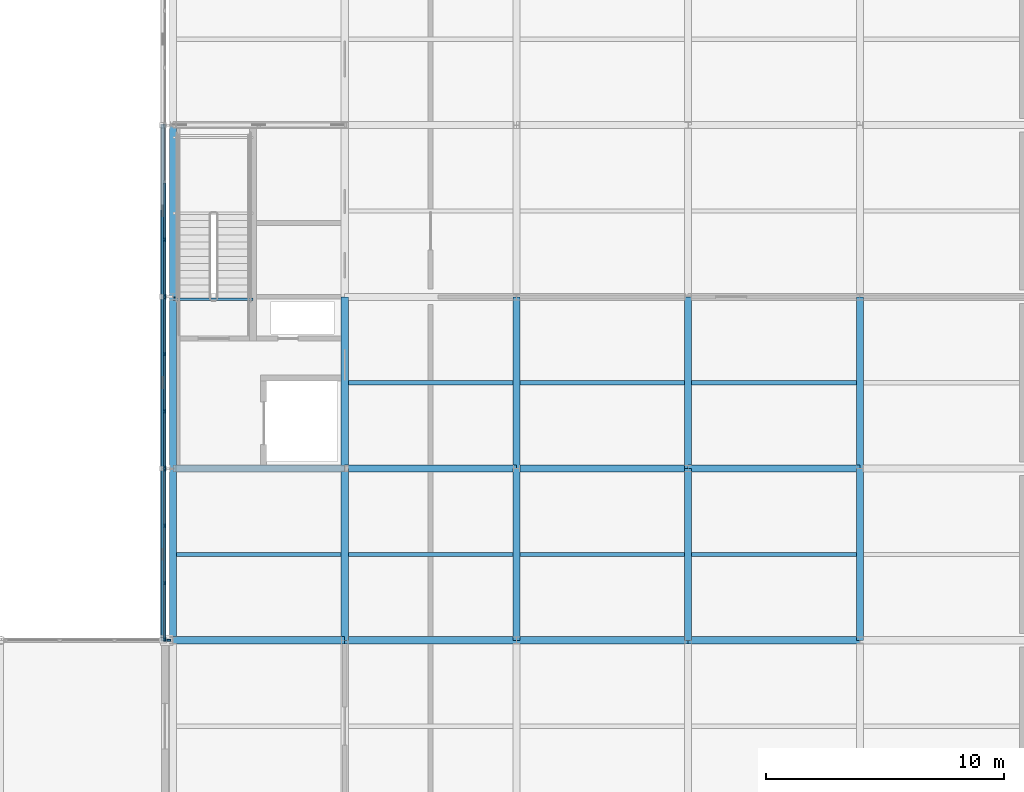
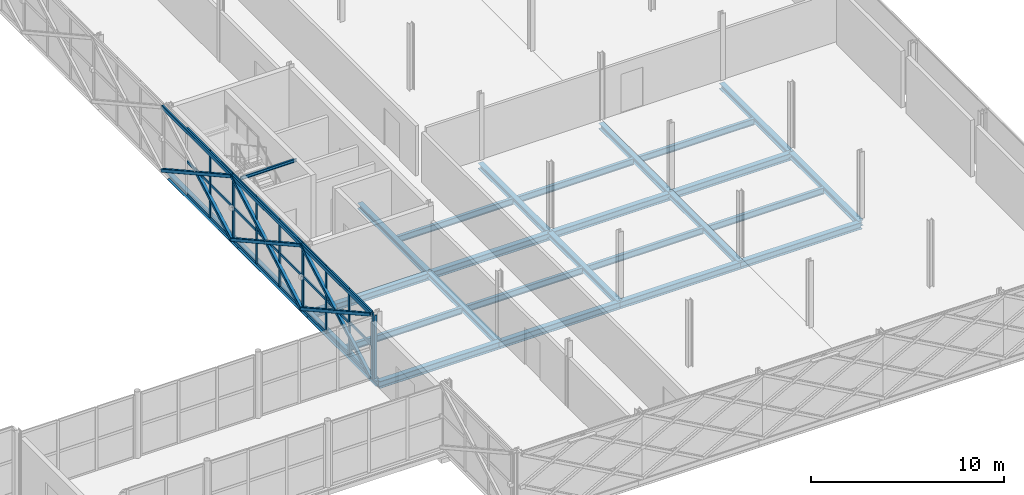
# One storey, part 70 of 146: 46 members, 27 beams, 4 elements without a shape of their own.
"""IFC4 building model written with IfcOpenShell, lengths in metres."""

from ifc_helpers import new_model, si_unit, direction, frame, origin, origin_2d, place, context, subcontext, project, spatial, rectangle, hollow_rectangle, i_section, extrude, material, material_profile, profile_set, type_object, element, aggregate, save


model = new_model("IFC4")

# Units and contexts
model_context = context("Model", 3, precision=1e-05, world=origin(), true_north=direction((0.0, 1.0)))
body_context = subcontext(model_context, "Body", "Model", "MODEL_VIEW")
ifc_project = project(units=[si_unit("LENGTHUNIT", "METRE"), si_unit("AREAUNIT", "SQUARE_METRE"), si_unit("VOLUMEUNIT", "CUBIC_METRE"), si_unit("PLANEANGLEUNIT", "RADIAN"), si_unit("MASSUNIT", "GRAM", prefix="KILO")], contexts=[model_context])

# Site, building, storey
site_placement = place(None, origin())
site = spatial("IfcSite", under=ifc_project, at=site_placement, CompositionType="ELEMENT")
building_placement = place(site_placement, origin())
building = spatial("IfcBuilding", under=site, at=building_placement, Name="Zlatovets Crest Museum", CompositionType="ELEMENT")
storey_placement = place(building_placement, frame((0.0, 0.0, 4.5)))
storey = spatial("IfcBuildingStorey", under=building, at=storey_placement, Name="L01", CompositionType="ELEMENT", Elevation=4.5)

# Beams
ifc_material_1 = material(Name="Structural steel S355J2", Category="steel")
ifc_material_profile_1 = material_profile(ifc_material_1, i_section(OverallWidth=0.300048828125, OverallDepth=0.35009765625, WebThickness=0.010009765625, FlangeThickness=0.017578125, FilletRadius=0.027099609375, at=origin_2d()), Name="HEA 360")
ifc_profile_set_1 = profile_set([ifc_material_profile_1], Name="Structural steel S355J2")
beam_type_1 = type_object("IfcBeamType", Name="Beam_B-03", PredefinedType="BEAM", material=ifc_profile_set_1)
for number, where, z_axis, x_axis, name in (
    (1, (129.60009765625, 28.800048828125, -0.39501953125), (0.0, 1.0, 0.0), (-1.0, 0.0, 0.0), "V5 L01 Grid Beam B-03"),
    (2, (129.60009765625, 36.0, -0.39501953125), (0.0, 1.0, 0.0), (-1.0, 0.0, 0.0), "V5 L01 Grid Beam B-03"),
    (3, (129.60009765625, 43.199951171875, -0.39501953125), (0.0, 1.0, 0.0), (-1.0, 0.0, 0.0), "V5 L01 Grid Beam B-03"),
    (4, (136.800048828125, 28.800048828125, -0.39501953125), (0.0, 1.0, 0.0), (-1.0, 0.0, 0.0), "V5 L01 Grid Beam B-03"),
    (5, (136.800048828125, 36.0, -0.39501953125), (0.0, 1.0, 0.0), (-1.0, 0.0, 0.0), "V5 L01 Grid Beam B-03"),
    (6, (144.0, 28.800048828125, -0.39501953125), (0.0, 1.0, 0.0), (-1.0, 0.0, 0.0), "V5 L01 Grid Beam B-03"),
    (7, (144.0, 36.0, -0.39501953125), (0.0, 1.0, 0.0), (-1.0, 0.0, 0.0), "V5 L01 Grid Beam B-03"),
    (8, (151.199951171875, 28.800048828125, -0.39501953125), (0.0, 1.0, 0.0), (-1.0, 0.0, 0.0), "V5 L01 Grid Beam B-03"),
    (9, (151.199951171875, 36.0, -0.39501953125), (0.0, 1.0, 0.0), (-1.0, 0.0, 0.0), "V5 L01 Grid Beam B-03"),
    (10, (158.39990234375, 28.800048828125, -0.39501953125), (0.0, 1.0, 0.0), (-1.0, 0.0, 0.0), "V5 L01 Grid Beam B-03"),
    (11, (158.39990234375, 36.0, -0.39501953125), (0.0, 1.0, 0.0), (-1.0, 0.0, 0.0), "V5 L01 Grid Beam B-03"),
):
    element("IfcBeam", number, at=place(storey_placement, frame(where, z_axis=z_axis, x_axis=x_axis)), inside=storey, type_object=beam_type_1, Name=name, PredefinedType="BEAM", context=body_context, shape_type="SweptSolid", body=[
        extrude(i_section(OverallWidth=0.300048828125, OverallDepth=0.35009765625, WebThickness=0.010009765625, FlangeThickness=0.017578125, FilletRadius=0.027099609375, at=origin_2d()), origin(), (0.0, 0.0, 1.0), 7.199951171875),
    ])
ifc_material_profile_2 = material_profile(ifc_material_1, i_section(OverallWidth=0.300048828125, OverallDepth=0.43994140625, WebThickness=0.011474609375, FlangeThickness=0.02099609375, FilletRadius=0.027099609375, at=origin_2d()), Name="HEA 450")
ifc_profile_set_2 = profile_set([ifc_material_profile_2], Name="Structural steel S355J2")
beam_type_2 = type_object("IfcBeamType", Name="Beam_B-10", PredefinedType="BEAM", material=ifc_profile_set_2)
for number, where, z_axis, x_axis, name in (
    (12, (129.60009765625, 28.800048828125, -0.43994140625), (1.0, 0.0, 0.0), (0.0, 1.0, 0.0), "V5 L01 Primary Girder B-10"),
    (13, (136.800048828125, 28.800048828125, -0.43994140625), (1.0, 0.0, 0.0), (0.0, 1.0, 0.0), "V5 L01 Primary Girder B-10"),
    (14, (144.0, 28.800048828125, -0.43994140625), (1.0, 0.0, 0.0), (0.0, 1.0, 0.0), "V5 L01 Primary Girder B-10"),
    (15, (151.199951171875, 28.800048828125, -0.43994140625), (1.0, 0.0, 0.0), (0.0, 1.0, 0.0), "V5 L01 Primary Girder B-10"),
    (16, (129.60009765625, 36.0, -0.43994140625), (1.0, 0.0, 0.0), (0.0, 1.0, 0.0), "V5 L01 Primary Girder B-10"),
    (17, (136.800048828125, 36.0, -0.43994140625), (1.0, 0.0, 0.0), (0.0, 1.0, 0.0), "V5 L01 Primary Girder B-10"),
    (18, (144.0, 36.0, -0.43994140625), (1.0, 0.0, 0.0), (0.0, 1.0, 0.0), "V5 L01 Primary Girder B-10"),
    (19, (151.199951171875, 36.0, -0.43994140625), (1.0, 0.0, 0.0), (0.0, 1.0, 0.0), "V5 L01 Primary Girder B-10"),
):
    element("IfcBeam", number, at=place(storey_placement, frame(where, z_axis=z_axis, x_axis=x_axis)), inside=storey, type_object=beam_type_2, Name=name, PredefinedType="BEAM", context=body_context, shape_type="SweptSolid", body=[
        extrude(i_section(OverallWidth=0.300048828125, OverallDepth=0.43994140625, WebThickness=0.011474609375, FlangeThickness=0.02099609375, FilletRadius=0.027099609375, at=origin_2d()), origin(), (0.0, 0.0, 1.0), 7.199951171875),
    ])
ifc_material_profile_3 = material_profile(ifc_material_1, i_section(OverallWidth=0.179931640625, OverallDepth=0.39990234375, WebThickness=0.008544921875, FlangeThickness=0.013427734375, FilletRadius=0.02099609375, at=origin_2d()), Name="IPE 400")
ifc_profile_set_3 = profile_set([ifc_material_profile_3], Name="Structural steel S355J2")
beam_type_3 = type_object("IfcBeamType", Name="Beam_J-04", PredefinedType="JOIST", material=ifc_profile_set_3)
beam_1_placement = place(storey_placement, frame((129.75, 32.39990234375, -0.419921875), z_axis=(1.0, 0.0, 0.0), x_axis=(0.0, 1.0, 0.0)))
element("IfcBeam", 20, at=beam_1_placement, inside=storey, type_object=beam_type_3, Name="V5 L01 Composite Joist J-04", PredefinedType="JOIST", context=body_context, shape_type="SweptSolid", body=[
    extrude(i_section(OverallWidth=0.179931640625, OverallDepth=0.39990234375, WebThickness=0.008544921875, FlangeThickness=0.013427734375, FilletRadius=0.02099609375, at=origin_2d()), origin(), (0.0, 0.0, 1.0), 6.89990234375),
])
for number, where, z_axis, x_axis, name in (
    (21, (136.949951171875, 32.39990234375, -0.419921875), (1.0, 0.0, 0.0), (0.0, 1.0, 0.0), "V5 L01 Composite Joist J-04"),
    (22, (136.949951171875, 39.60009765625, -0.419921875), (1.0, 0.0, 0.0), (0.0, 1.0, 0.0), "V5 L01 Composite Joist J-04"),
    (23, (144.14990234375, 32.39990234375, -0.419921875), (1.0, 0.0, 0.0), (0.0, 1.0, 0.0), "V5 L01 Composite Joist J-04"),
    (24, (144.14990234375, 39.60009765625, -0.419921875), (1.0, 0.0, 0.0), (0.0, 1.0, 0.0), "V5 L01 Composite Joist J-04"),
):
    element("IfcBeam", number, at=place(storey_placement, frame(where, z_axis=z_axis, x_axis=x_axis)), inside=storey, type_object=beam_type_3, Name=name, PredefinedType="JOIST", context=body_context, shape_type="SweptSolid", body=[
        extrude(i_section(OverallWidth=0.179931640625, OverallDepth=0.39990234375, WebThickness=0.008544921875, FlangeThickness=0.013427734375, FilletRadius=0.02099609375, at=origin_2d()), origin(), (0.0, 0.0, 1.0), 6.900146484375),
    ])
for number, where, z_axis, x_axis, name in (
    (25, (151.35009765625, 32.39990234375, -0.419921875), (1.0, 0.0, 0.0), (0.0, 1.0, 0.0), "V5 L01 Composite Joist J-04"),
    (26, (151.35009765625, 39.60009765625, -0.419921875), (1.0, 0.0, 0.0), (0.0, 1.0, 0.0), "V5 L01 Composite Joist J-04"),
):
    element("IfcBeam", number, at=place(storey_placement, frame(where, z_axis=z_axis, x_axis=x_axis)), inside=storey, type_object=beam_type_3, Name=name, PredefinedType="JOIST", context=body_context, shape_type="SweptSolid", body=[
        extrude(i_section(OverallWidth=0.179931640625, OverallDepth=0.39990234375, WebThickness=0.008544921875, FlangeThickness=0.013427734375, FilletRadius=0.02099609375, at=origin_2d()), origin(), (0.0, 0.0, 1.0), 6.89990234375),
    ])
ifc_material_profile_4 = material_profile(ifc_material_1, i_section(OverallWidth=0.10009765625, OverallDepth=0.199951171875, WebThickness=0.005615234375, FlangeThickness=0.008544921875, FilletRadius=0.011962890625, at=origin_2d()), Name="IPE 200")
ifc_profile_set_4 = profile_set([ifc_material_profile_4], Name="Structural steel S355J2")
beam_type_4 = type_object("IfcBeamType", Name="Beam_PR-02", PredefinedType="LINTEL", material=ifc_profile_set_4)
beam_2_placement = place(storey_placement, frame((129.60009765625, 43.10009765625, 3.860107421875), z_axis=(1.0, 0.0, 0.0), x_axis=(0.0, 1.0, 0.0)))
element("IfcBeam", 27, at=beam_2_placement, inside=storey, type_object=beam_type_4, Name="Core C5 L01 Stair Well Header Beam", PredefinedType="LINTEL", context=body_context, shape_type="SweptSolid", body=[
    extrude(i_section(OverallWidth=0.10009765625, OverallDepth=0.199951171875, WebThickness=0.005615234375, FlangeThickness=0.008544921875, FilletRadius=0.011962890625, at=origin_2d()), origin(), (0.0, 0.0, 1.0), 3.349853515625),
])

# Curtain wall, members
ifc_material_2 = material(Name="Bronze-anodised aluminium and low-E triple glass", Category="aluminium")
curtain_wall_type_1 = type_object("IfcCurtainWallType", Name="CW_CW-V5-L01-M1", PredefinedType="NOTDEFINED", material=ifc_material_2)
curtain_wall_1_placement = place(storey_placement, origin())
curtain_wall_1 = element("IfcCurtainWall", 28, at=curtain_wall_1_placement, inside=storey, type_object=curtain_wall_type_1, Name="V5 L01 Expressed Core Glazed Facade", PredefinedType="NOTDEFINED")
ifc_material_3 = material(Name="Bronze-anodised aluminium EN AW-6060", Category="aluminium")
ifc_material_profile_5 = material_profile(ifc_material_3, rectangle(XDim=0.080078125, YDim=0.159912109375, at=origin_2d()), Name="ALU 80x160")
ifc_profile_set_5 = profile_set([ifc_material_profile_5], Name="Bronze-anodised aluminium EN AW-6060")
member_type_1 = type_object("IfcMemberType", Name="CWMull_M1", PredefinedType="MULLION", material=ifc_profile_set_5)
member_1_placement = place(storey_placement, frame((129.260009765625, 45.60009765625, 0.0), z_axis=(0.0, 0.0, 1.0), x_axis=(1.0, 0.0, 0.0)))
member_1 = element("IfcMember", 29, at=member_1_placement, type_object=member_type_1, Name="CW-V5-L01-M1 mullion 3", PredefinedType="MULLION", context=body_context, shape_type="SweptSolid", body=[
    extrude(rectangle(XDim=0.080078125, YDim=0.159912109375, at=origin_2d()), origin(), (0.0, 0.0, 1.0), 4.199951171875),
])
member_2_placement = place(storey_placement, frame((129.260009765625, 43.22998046875, 0.0), z_axis=(0.0, 0.0, 1.0), x_axis=(1.0, 0.0, 0.0)))
member_2 = element("IfcMember", 30, at=member_2_placement, type_object=member_type_1, Name="CW-V5-L01-M1 mullion 4", PredefinedType="MULLION", context=body_context, shape_type="SweptSolid", body=[
    extrude(rectangle(XDim=0.080078125, YDim=0.159912109375, at=origin_2d()), origin(), (0.0, 0.0, 1.0), 4.199951171875),
])

curtain_wall_type_2 = type_object("IfcCurtainWallType", Name="CW_CW-V5-L01-M2", PredefinedType="NOTDEFINED", material=ifc_material_2)
curtain_wall_2_placement = place(storey_placement, origin())
curtain_wall_2 = element("IfcCurtainWall", 31, at=curtain_wall_2_placement, inside=storey, type_object=curtain_wall_type_2, Name="V5 L01 Expressed Core Glazed Facade", PredefinedType="NOTDEFINED")
member_3_placement = place(storey_placement, frame((129.260009765625, 43.169921875, 0.0), z_axis=(0.0, 0.0, 1.0), x_axis=(1.0, 0.0, 0.0)))
member_3 = element("IfcMember", 32, at=member_3_placement, type_object=member_type_1, Name="CW-V5-L01-M2 mullion 1", PredefinedType="MULLION", context=body_context, shape_type="SweptSolid", body=[
    extrude(rectangle(XDim=0.080078125, YDim=0.159912109375, at=origin_2d()), origin(), (0.0, 0.0, 1.0), 4.199951171875),
])
member_4_placement = place(storey_placement, frame((129.260009765625, 40.800048828125, 0.0), z_axis=(0.0, 0.0, 1.0), x_axis=(1.0, 0.0, 0.0)))
member_4 = element("IfcMember", 33, at=member_4_placement, type_object=member_type_1, Name="CW-V5-L01-M2 mullion 2", PredefinedType="MULLION", context=body_context, shape_type="SweptSolid", body=[
    extrude(rectangle(XDim=0.080078125, YDim=0.159912109375, at=origin_2d()), origin(), (0.0, 0.0, 1.0), 4.199951171875),
])
member_5_placement = place(storey_placement, frame((129.260009765625, 38.39990234375, 0.0), z_axis=(0.0, 0.0, 1.0), x_axis=(1.0, 0.0, 0.0)))
member_5 = element("IfcMember", 34, at=member_5_placement, type_object=member_type_1, Name="CW-V5-L01-M2 mullion 3", PredefinedType="MULLION", context=body_context, shape_type="SweptSolid", body=[
    extrude(rectangle(XDim=0.080078125, YDim=0.159912109375, at=origin_2d()), origin(), (0.0, 0.0, 1.0), 4.199951171875),
])
member_6_placement = place(storey_placement, frame((129.260009765625, 36.030029296875, 0.0), z_axis=(0.0, 0.0, 1.0), x_axis=(1.0, 0.0, 0.0)))
member_6 = element("IfcMember", 35, at=member_6_placement, type_object=member_type_1, Name="CW-V5-L01-M2 mullion 4", PredefinedType="MULLION", context=body_context, shape_type="SweptSolid", body=[
    extrude(rectangle(XDim=0.080078125, YDim=0.159912109375, at=origin_2d()), origin(), (0.0, 0.0, 1.0), 4.199951171875),
])

curtain_wall_type_3 = type_object("IfcCurtainWallType", Name="CW_CW-V5-L01-M3", PredefinedType="NOTDEFINED", material=ifc_material_2)
curtain_wall_3_placement = place(storey_placement, origin())
curtain_wall_3 = element("IfcCurtainWall", 36, at=curtain_wall_3_placement, inside=storey, type_object=curtain_wall_type_3, Name="V5 L01 Secession Foyer Clear Curtain Wall", PredefinedType="NOTDEFINED")
member_7_placement = place(storey_placement, frame((129.260009765625, 35.969970703125, 0.0), z_axis=(0.0, 0.0, 1.0), x_axis=(1.0, 0.0, 0.0)))
member_7 = element("IfcMember", 37, at=member_7_placement, type_object=member_type_1, Name="CW-V5-L01-M3 mullion 1", PredefinedType="MULLION", context=body_context, shape_type="SweptSolid", body=[
    extrude(rectangle(XDim=0.080078125, YDim=0.159912109375, at=origin_2d()), origin(), (0.0, 0.0, 1.0), 4.199951171875),
])
member_8_placement = place(storey_placement, frame((129.260009765625, 33.60009765625, 0.0), z_axis=(0.0, 0.0, 1.0), x_axis=(1.0, 0.0, 0.0)))
member_8 = element("IfcMember", 38, at=member_8_placement, type_object=member_type_1, Name="CW-V5-L01-M3 mullion 2", PredefinedType="MULLION", context=body_context, shape_type="SweptSolid", body=[
    extrude(rectangle(XDim=0.080078125, YDim=0.159912109375, at=origin_2d()), origin(), (0.0, 0.0, 1.0), 4.199951171875),
])
member_9_placement = place(storey_placement, frame((129.260009765625, 31.199951171875, 0.0), z_axis=(0.0, 0.0, 1.0), x_axis=(1.0, 0.0, 0.0)))
member_9 = element("IfcMember", 39, at=member_9_placement, type_object=member_type_1, Name="CW-V5-L01-M3 mullion 3", PredefinedType="MULLION", context=body_context, shape_type="SweptSolid", body=[
    extrude(rectangle(XDim=0.080078125, YDim=0.159912109375, at=origin_2d()), origin(), (0.0, 0.0, 1.0), 4.199951171875),
])
member_10_placement = place(storey_placement, frame((129.260009765625, 28.830078125, 0.0), z_axis=(0.0, 0.0, 1.0), x_axis=(1.0, 0.0, 0.0)))
member_10 = element("IfcMember", 40, at=member_10_placement, type_object=member_type_1, Name="CW-V5-L01-M3 mullion 4", PredefinedType="MULLION", context=body_context, shape_type="SweptSolid", body=[
    extrude(rectangle(XDim=0.080078125, YDim=0.159912109375, at=origin_2d()), origin(), (0.0, 0.0, 1.0), 4.199951171875),
])

# Curtain wall, member
curtain_wall_type_4 = type_object("IfcCurtainWallType", Name="CW_CW-BR4-L01-S69", PredefinedType="NOTDEFINED", material=ifc_material_2)
curtain_wall_4_placement = place(storey_placement, origin())
curtain_wall_4 = element("IfcCurtainWall", 41, at=curtain_wall_4_placement, inside=storey, type_object=curtain_wall_type_4, Name="Southeast Archive Glazed Link Bridge L01 Glazed Bridge Curtain Wall", PredefinedType="NOTDEFINED")
member_11_placement = place(storey_placement, frame((129.419921875, 28.800048828125, 0.0), z_axis=(0.0, 0.0, 1.0), x_axis=(0.0, 1.0, 0.0)))
member_11 = element("IfcMember", 42, at=member_11_placement, type_object=member_type_1, Name="CW-BR4-L01-S69 mullion 4", PredefinedType="MULLION", context=body_context, shape_type="SweptSolid", body=[
    extrude(rectangle(XDim=0.080078125, YDim=0.159912109375, at=origin_2d()), origin(), (0.0, 0.0, 1.0), 3.97998046875),
])
aggregate(curtain_wall_4, [member_11])

# Member
ifc_material_profile_6 = material_profile(ifc_material_3, rectangle(XDim=0.080078125, YDim=0.159912109375, at=origin_2d()), Name="ALU 80x160")
ifc_profile_set_6 = profile_set([ifc_material_profile_6], Name="Bronze-anodised aluminium EN AW-6060")
member_type_2 = type_object("IfcMemberType", Name="CWTrans_T1", PredefinedType="USERDEFINED", material=ifc_profile_set_6)
member_12_placement = place(storey_placement, frame((129.260009765625, 47.969970703125, 0.030029296875), z_axis=(0.0, -1.0, 0.0), x_axis=(1.0, 0.0, 0.0)))
member_12 = element("IfcMember", 43, at=member_12_placement, type_object=member_type_2, Name="CW-V5-L01-M1 transom 2.1", ObjectType="TRANSOM", PredefinedType="USERDEFINED", context=body_context, shape_type="SweptSolid", body=[
    extrude(rectangle(XDim=0.080078125, YDim=0.159912109375, at=origin_2d()), origin(), (0.0, 0.0, 1.0), 2.340087890625),
])

member_13_placement = place(storey_placement, frame((129.260009765625, 47.969970703125, 2.10009765625), z_axis=(0.0, -1.0, 0.0), x_axis=(1.0, 0.0, 0.0)))
member_13 = element("IfcMember", 44, at=member_13_placement, type_object=member_type_2, Name="CW-V5-L01-M1 transom 2.2", ObjectType="TRANSOM", PredefinedType="USERDEFINED", context=body_context, shape_type="SweptSolid", body=[
    extrude(rectangle(XDim=0.080078125, YDim=0.159912109375, at=origin_2d()), origin(), (0.0, 0.0, 1.0), 2.340087890625),
])

member_14_placement = place(storey_placement, frame((129.260009765625, 47.969970703125, 4.169921875), z_axis=(0.0, -1.0, 0.0), x_axis=(1.0, 0.0, 0.0)))
member_14 = element("IfcMember", 45, at=member_14_placement, type_object=member_type_2, Name="CW-V5-L01-M1 transom 2.3", ObjectType="TRANSOM", PredefinedType="USERDEFINED", context=body_context, shape_type="SweptSolid", body=[
    extrude(rectangle(XDim=0.080078125, YDim=0.159912109375, at=origin_2d()), origin(), (0.0, 0.0, 1.0), 2.340087890625),
])

member_15_placement = place(storey_placement, frame((129.260009765625, 45.570068359375, 0.030029296875), z_axis=(0.0, -1.0, 0.0), x_axis=(1.0, 0.0, 0.0)))
member_15 = element("IfcMember", 46, at=member_15_placement, type_object=member_type_2, Name="CW-V5-L01-M1 transom 3.1", ObjectType="TRANSOM", PredefinedType="USERDEFINED", context=body_context, shape_type="SweptSolid", body=[
    extrude(rectangle(XDim=0.080078125, YDim=0.159912109375, at=origin_2d()), origin(), (0.0, 0.0, 1.0), 2.31005859375),
])

member_16_placement = place(storey_placement, frame((129.260009765625, 45.570068359375, 2.10009765625), z_axis=(0.0, -1.0, 0.0), x_axis=(1.0, 0.0, 0.0)))
member_16 = element("IfcMember", 47, at=member_16_placement, type_object=member_type_2, Name="CW-V5-L01-M1 transom 3.2", ObjectType="TRANSOM", PredefinedType="USERDEFINED", context=body_context, shape_type="SweptSolid", body=[
    extrude(rectangle(XDim=0.080078125, YDim=0.159912109375, at=origin_2d()), origin(), (0.0, 0.0, 1.0), 2.31005859375),
])

member_17_placement = place(storey_placement, frame((129.260009765625, 45.570068359375, 4.169921875), z_axis=(0.0, -1.0, 0.0), x_axis=(1.0, 0.0, 0.0)))
member_17 = element("IfcMember", 48, at=member_17_placement, type_object=member_type_2, Name="CW-V5-L01-M1 transom 3.3", ObjectType="TRANSOM", PredefinedType="USERDEFINED", context=body_context, shape_type="SweptSolid", body=[
    extrude(rectangle(XDim=0.080078125, YDim=0.159912109375, at=origin_2d()), origin(), (0.0, 0.0, 1.0), 2.31005859375),
])

aggregate(curtain_wall_1, [member_1, member_2, member_12, member_13, member_14, member_15, member_16, member_17])

member_18_placement = place(storey_placement, frame((129.260009765625, 43.139892578125, 0.030029296875), z_axis=(0.0, -1.0, 0.0), x_axis=(1.0, 0.0, 0.0)))
member_18 = element("IfcMember", 49, at=member_18_placement, type_object=member_type_2, Name="CW-V5-L01-M2 transom 1.1", ObjectType="TRANSOM", PredefinedType="USERDEFINED", context=body_context, shape_type="SweptSolid", body=[
    extrude(rectangle(XDim=0.080078125, YDim=0.159912109375, at=origin_2d()), origin(), (0.0, 0.0, 1.0), 2.309814453125),
])

member_19_placement = place(storey_placement, frame((129.260009765625, 43.139892578125, 2.10009765625), z_axis=(0.0, -1.0, 0.0), x_axis=(1.0, 0.0, 0.0)))
member_19 = element("IfcMember", 50, at=member_19_placement, type_object=member_type_2, Name="CW-V5-L01-M2 transom 1.2", ObjectType="TRANSOM", PredefinedType="USERDEFINED", context=body_context, shape_type="SweptSolid", body=[
    extrude(rectangle(XDim=0.080078125, YDim=0.159912109375, at=origin_2d()), origin(), (0.0, 0.0, 1.0), 2.309814453125),
])

member_20_placement = place(storey_placement, frame((129.260009765625, 43.139892578125, 4.169921875), z_axis=(0.0, -1.0, 0.0), x_axis=(1.0, 0.0, 0.0)))
member_20 = element("IfcMember", 51, at=member_20_placement, type_object=member_type_2, Name="CW-V5-L01-M2 transom 1.3", ObjectType="TRANSOM", PredefinedType="USERDEFINED", context=body_context, shape_type="SweptSolid", body=[
    extrude(rectangle(XDim=0.080078125, YDim=0.159912109375, at=origin_2d()), origin(), (0.0, 0.0, 1.0), 2.309814453125),
])

member_21_placement = place(storey_placement, frame((129.260009765625, 40.77001953125, 0.030029296875), z_axis=(0.0, -1.0, 0.0), x_axis=(1.0, 0.0, 0.0)))
member_21 = element("IfcMember", 52, at=member_21_placement, type_object=member_type_2, Name="CW-V5-L01-M2 transom 2.1", ObjectType="TRANSOM", PredefinedType="USERDEFINED", context=body_context, shape_type="SweptSolid", body=[
    extrude(rectangle(XDim=0.080078125, YDim=0.159912109375, at=origin_2d()), origin(), (0.0, 0.0, 1.0), 2.340087890625),
])

member_22_placement = place(storey_placement, frame((129.260009765625, 40.77001953125, 2.10009765625), z_axis=(0.0, -1.0, 0.0), x_axis=(1.0, 0.0, 0.0)))
member_22 = element("IfcMember", 53, at=member_22_placement, type_object=member_type_2, Name="CW-V5-L01-M2 transom 2.2", ObjectType="TRANSOM", PredefinedType="USERDEFINED", context=body_context, shape_type="SweptSolid", body=[
    extrude(rectangle(XDim=0.080078125, YDim=0.159912109375, at=origin_2d()), origin(), (0.0, 0.0, 1.0), 2.340087890625),
])

member_23_placement = place(storey_placement, frame((129.260009765625, 40.77001953125, 4.169921875), z_axis=(0.0, -1.0, 0.0), x_axis=(1.0, 0.0, 0.0)))
member_23 = element("IfcMember", 54, at=member_23_placement, type_object=member_type_2, Name="CW-V5-L01-M2 transom 2.3", ObjectType="TRANSOM", PredefinedType="USERDEFINED", context=body_context, shape_type="SweptSolid", body=[
    extrude(rectangle(XDim=0.080078125, YDim=0.159912109375, at=origin_2d()), origin(), (0.0, 0.0, 1.0), 2.340087890625),
])

member_24_placement = place(storey_placement, frame((129.260009765625, 38.3701171875, 0.030029296875), z_axis=(0.0, -1.0, 0.0), x_axis=(1.0, 0.0, 0.0)))
member_24 = element("IfcMember", 55, at=member_24_placement, type_object=member_type_2, Name="CW-V5-L01-M2 transom 3.1", ObjectType="TRANSOM", PredefinedType="USERDEFINED", context=body_context, shape_type="SweptSolid", body=[
    extrude(rectangle(XDim=0.080078125, YDim=0.159912109375, at=origin_2d()), origin(), (0.0, 0.0, 1.0), 2.31005859375),
])

member_25_placement = place(storey_placement, frame((129.260009765625, 38.3701171875, 2.10009765625), z_axis=(0.0, -1.0, 0.0), x_axis=(1.0, 0.0, 0.0)))
member_25 = element("IfcMember", 56, at=member_25_placement, type_object=member_type_2, Name="CW-V5-L01-M2 transom 3.2", ObjectType="TRANSOM", PredefinedType="USERDEFINED", context=body_context, shape_type="SweptSolid", body=[
    extrude(rectangle(XDim=0.080078125, YDim=0.159912109375, at=origin_2d()), origin(), (0.0, 0.0, 1.0), 2.31005859375),
])

member_26_placement = place(storey_placement, frame((129.260009765625, 38.3701171875, 4.169921875), z_axis=(0.0, -1.0, 0.0), x_axis=(1.0, 0.0, 0.0)))
member_26 = element("IfcMember", 57, at=member_26_placement, type_object=member_type_2, Name="CW-V5-L01-M2 transom 3.3", ObjectType="TRANSOM", PredefinedType="USERDEFINED", context=body_context, shape_type="SweptSolid", body=[
    extrude(rectangle(XDim=0.080078125, YDim=0.159912109375, at=origin_2d()), origin(), (0.0, 0.0, 1.0), 2.31005859375),
])

aggregate(curtain_wall_2, [member_3, member_4, member_5, member_6, member_18, member_19, member_20, member_21, member_22, member_23, member_24, member_25, member_26])

member_27_placement = place(storey_placement, frame((129.260009765625, 35.93994140625, 0.030029296875), z_axis=(0.0, -1.0, 0.0), x_axis=(1.0, 0.0, 0.0)))
member_27 = element("IfcMember", 58, at=member_27_placement, type_object=member_type_2, Name="CW-V5-L01-M3 transom 1.1", ObjectType="TRANSOM", PredefinedType="USERDEFINED", context=body_context, shape_type="SweptSolid", body=[
    extrude(rectangle(XDim=0.080078125, YDim=0.159912109375, at=origin_2d()), origin(), (0.0, 0.0, 1.0), 2.31005859375),
])

member_28_placement = place(storey_placement, frame((129.260009765625, 35.93994140625, 2.10009765625), z_axis=(0.0, -1.0, 0.0), x_axis=(1.0, 0.0, 0.0)))
member_28 = element("IfcMember", 59, at=member_28_placement, type_object=member_type_2, Name="CW-V5-L01-M3 transom 1.2", ObjectType="TRANSOM", PredefinedType="USERDEFINED", context=body_context, shape_type="SweptSolid", body=[
    extrude(rectangle(XDim=0.080078125, YDim=0.159912109375, at=origin_2d()), origin(), (0.0, 0.0, 1.0), 2.31005859375),
])

member_29_placement = place(storey_placement, frame((129.260009765625, 35.93994140625, 4.169921875), z_axis=(0.0, -1.0, 0.0), x_axis=(1.0, 0.0, 0.0)))
member_29 = element("IfcMember", 60, at=member_29_placement, type_object=member_type_2, Name="CW-V5-L01-M3 transom 1.3", ObjectType="TRANSOM", PredefinedType="USERDEFINED", context=body_context, shape_type="SweptSolid", body=[
    extrude(rectangle(XDim=0.080078125, YDim=0.159912109375, at=origin_2d()), origin(), (0.0, 0.0, 1.0), 2.31005859375),
])

member_30_placement = place(storey_placement, frame((129.260009765625, 33.570068359375, 0.030029296875), z_axis=(0.0, -1.0, 0.0), x_axis=(1.0, 0.0, 0.0)))
member_30 = element("IfcMember", 61, at=member_30_placement, type_object=member_type_2, Name="CW-V5-L01-M3 transom 2.1", ObjectType="TRANSOM", PredefinedType="USERDEFINED", context=body_context, shape_type="SweptSolid", body=[
    extrude(rectangle(XDim=0.080078125, YDim=0.159912109375, at=origin_2d()), origin(), (0.0, 0.0, 1.0), 2.340087890625),
])

member_31_placement = place(storey_placement, frame((129.260009765625, 33.570068359375, 2.10009765625), z_axis=(0.0, -1.0, 0.0), x_axis=(1.0, 0.0, 0.0)))
member_31 = element("IfcMember", 62, at=member_31_placement, type_object=member_type_2, Name="CW-V5-L01-M3 transom 2.2", ObjectType="TRANSOM", PredefinedType="USERDEFINED", context=body_context, shape_type="SweptSolid", body=[
    extrude(rectangle(XDim=0.080078125, YDim=0.159912109375, at=origin_2d()), origin(), (0.0, 0.0, 1.0), 2.340087890625),
])

member_32_placement = place(storey_placement, frame((129.260009765625, 33.570068359375, 4.169921875), z_axis=(0.0, -1.0, 0.0), x_axis=(1.0, 0.0, 0.0)))
member_32 = element("IfcMember", 63, at=member_32_placement, type_object=member_type_2, Name="CW-V5-L01-M3 transom 2.3", ObjectType="TRANSOM", PredefinedType="USERDEFINED", context=body_context, shape_type="SweptSolid", body=[
    extrude(rectangle(XDim=0.080078125, YDim=0.159912109375, at=origin_2d()), origin(), (0.0, 0.0, 1.0), 2.340087890625),
])

member_33_placement = place(storey_placement, frame((129.260009765625, 31.169921875, 0.030029296875), z_axis=(0.0, -1.0, 0.0), x_axis=(1.0, 0.0, 0.0)))
member_33 = element("IfcMember", 64, at=member_33_placement, type_object=member_type_2, Name="CW-V5-L01-M3 transom 3.1", ObjectType="TRANSOM", PredefinedType="USERDEFINED", context=body_context, shape_type="SweptSolid", body=[
    extrude(rectangle(XDim=0.080078125, YDim=0.159912109375, at=origin_2d()), origin(), (0.0, 0.0, 1.0), 2.309814453125),
])

member_34_placement = place(storey_placement, frame((129.260009765625, 31.169921875, 2.10009765625), z_axis=(0.0, -1.0, 0.0), x_axis=(1.0, 0.0, 0.0)))
member_34 = element("IfcMember", 65, at=member_34_placement, type_object=member_type_2, Name="CW-V5-L01-M3 transom 3.2", ObjectType="TRANSOM", PredefinedType="USERDEFINED", context=body_context, shape_type="SweptSolid", body=[
    extrude(rectangle(XDim=0.080078125, YDim=0.159912109375, at=origin_2d()), origin(), (0.0, 0.0, 1.0), 2.309814453125),
])

member_35_placement = place(storey_placement, frame((129.260009765625, 31.169921875, 4.169921875), z_axis=(0.0, -1.0, 0.0), x_axis=(1.0, 0.0, 0.0)))
member_35 = element("IfcMember", 66, at=member_35_placement, type_object=member_type_2, Name="CW-V5-L01-M3 transom 3.3", ObjectType="TRANSOM", PredefinedType="USERDEFINED", context=body_context, shape_type="SweptSolid", body=[
    extrude(rectangle(XDim=0.080078125, YDim=0.159912109375, at=origin_2d()), origin(), (0.0, 0.0, 1.0), 2.309814453125),
])

aggregate(curtain_wall_3, [member_7, member_8, member_9, member_10, member_27, member_28, member_29, member_30, member_31, member_32, member_33, member_34, member_35])

# Members
ifc_material_4 = material(Name="Weathering bronze-steel S355J2W", Category="steel")
ifc_material_profile_7 = material_profile(ifc_material_4, hollow_rectangle(XDim=0.199951171875, YDim=0.199951171875, WallThickness=0.012451171875, InnerFilletRadius=0.012451171875, OuterFilletRadius=0.02490234375, at=origin_2d()), Name="SHS 200x200x12.5")
ifc_profile_set_7 = profile_set([ifc_material_profile_7], Name="Weathering bronze-steel S355J2W")
member_type_3 = type_object("IfcMemberType", Name="Lattice_XL-02", PredefinedType="BRACE", material=ifc_profile_set_7)
member_36_placement = place(storey_placement, frame((129.179931640625, 50.39990234375, 0.10009765625), z_axis=(0.0, -0.874155877937, 0.485645447903), x_axis=(1.0, 0.0, 0.0)))
element("IfcMember", 67, at=member_36_placement, inside=storey, type_object=member_type_3, Name="Continuous Bronze Lattice Diagonal", PredefinedType="BRACE", context=body_context, shape_type="SweptSolid", body=[
    extrude(hollow_rectangle(XDim=0.199951171875, YDim=0.199951171875, WallThickness=0.012451171875, InnerFilletRadius=0.012451171875, OuterFilletRadius=0.02490234375, at=origin_2d()), origin(), (0.0, 0.0, 1.0), 8.236572265625),
])
member_37_placement = place(storey_placement, frame((129.179931640625, 46.717041015625, 2.053955078125), z_axis=(0.0, -0.874165862873, -0.485627474703), x_axis=(1.0, 0.0, 0.0)))
element("IfcMember", 68, at=member_37_placement, inside=storey, type_object=member_type_3, Name="Split Crossing Bronze Lattice Diagonal Lower", PredefinedType="BRACE", context=body_context, shape_type="SweptSolid", body=[
    extrude(hollow_rectangle(XDim=0.199951171875, YDim=0.199951171875, WallThickness=0.012451171875, InnerFilletRadius=0.012451171875, OuterFilletRadius=0.02490234375, at=origin_2d()), origin(), (0.0, 0.0, 1.0), 4.0234375),
])
member_38_placement = place(storey_placement, frame((129.179931640625, 43.199951171875, 0.10009765625), z_axis=(0.0, -0.874155877937, 0.485645447903), x_axis=(1.0, 0.0, 0.0)))
element("IfcMember", 69, at=member_38_placement, inside=storey, type_object=member_type_3, Name="Continuous Bronze Lattice Diagonal", PredefinedType="BRACE", context=body_context, shape_type="SweptSolid", body=[
    extrude(hollow_rectangle(XDim=0.199951171875, YDim=0.199951171875, WallThickness=0.012451171875, InnerFilletRadius=0.012451171875, OuterFilletRadius=0.02490234375, at=origin_2d()), origin(), (0.0, 0.0, 1.0), 8.236572265625),
])
member_39_placement = place(storey_placement, frame((129.179931640625, 43.199951171875, 4.10009765625), z_axis=(0.0, -0.874125788284, -0.485699604958), x_axis=(1.0, 0.0, 0.0)))
element("IfcMember", 70, at=member_39_placement, inside=storey, type_object=member_type_3, Name="Split Crossing Bronze Lattice Diagonal Upper", PredefinedType="BRACE", context=body_context, shape_type="SweptSolid", body=[
    extrude(hollow_rectangle(XDim=0.199951171875, YDim=0.199951171875, WallThickness=0.012451171875, InnerFilletRadius=0.012451171875, OuterFilletRadius=0.02490234375, at=origin_2d()), origin(), (0.0, 0.0, 1.0), 4.023193359375),
])
member_40_placement = place(storey_placement, frame((129.179931640625, 39.51708984375, 2.053955078125), z_axis=(0.0, -0.874165862873, -0.485627474703), x_axis=(1.0, 0.0, 0.0)))
element("IfcMember", 71, at=member_40_placement, inside=storey, type_object=member_type_3, Name="Split Crossing Bronze Lattice Diagonal Lower", PredefinedType="BRACE", context=body_context, shape_type="SweptSolid", body=[
    extrude(hollow_rectangle(XDim=0.199951171875, YDim=0.199951171875, WallThickness=0.012451171875, InnerFilletRadius=0.012451171875, OuterFilletRadius=0.02490234375, at=origin_2d()), origin(), (0.0, 0.0, 1.0), 4.0234375),
])
member_41_placement = place(storey_placement, frame((129.179931640625, 36.0, 0.10009765625), z_axis=(0.0, -0.874155877937, 0.485645447903), x_axis=(1.0, 0.0, 0.0)))
element("IfcMember", 72, at=member_41_placement, inside=storey, type_object=member_type_3, Name="Continuous Bronze Lattice Diagonal", PredefinedType="BRACE", context=body_context, shape_type="SweptSolid", body=[
    extrude(hollow_rectangle(XDim=0.199951171875, YDim=0.199951171875, WallThickness=0.012451171875, InnerFilletRadius=0.012451171875, OuterFilletRadius=0.02490234375, at=origin_2d()), origin(), (0.0, 0.0, 1.0), 8.236572265625),
])
member_42_placement = place(storey_placement, frame((129.179931640625, 36.0, 4.10009765625), z_axis=(0.0, -0.874140102304, -0.485673842763), x_axis=(1.0, 0.0, 0.0)))
element("IfcMember", 73, at=member_42_placement, inside=storey, type_object=member_type_3, Name="Split Crossing Bronze Lattice Diagonal Upper", PredefinedType="BRACE", context=body_context, shape_type="SweptSolid", body=[
    extrude(hollow_rectangle(XDim=0.199951171875, YDim=0.199951171875, WallThickness=0.012451171875, InnerFilletRadius=0.012451171875, OuterFilletRadius=0.02490234375, at=origin_2d()), origin(), (0.0, 0.0, 1.0), 4.0234375),
])
member_43_placement = place(storey_placement, frame((129.179931640625, 32.31689453125, 2.053955078125), z_axis=(0.0, -0.874151551165, -0.485653235958), x_axis=(1.0, 0.0, 0.0)))
element("IfcMember", 74, at=member_43_placement, inside=storey, type_object=member_type_3, Name="Split Crossing Bronze Lattice Diagonal Lower", PredefinedType="BRACE", context=body_context, shape_type="SweptSolid", body=[
    extrude(hollow_rectangle(XDim=0.199951171875, YDim=0.199951171875, WallThickness=0.012451171875, InnerFilletRadius=0.012451171875, OuterFilletRadius=0.02490234375, at=origin_2d()), origin(), (0.0, 0.0, 1.0), 4.023193359375),
])
ifc_material_profile_8 = material_profile(ifc_material_4, hollow_rectangle(XDim=0.1201171875, YDim=0.239990234375, WallThickness=0.010009765625, InnerFilletRadius=0.010009765625, OuterFilletRadius=0.02001953125, at=origin_2d()), Name="RHS 120x240x10.0")
ifc_profile_set_8 = profile_set([ifc_material_profile_8], Name="Weathering bronze-steel S355J2W")
member_type_4 = type_object("IfcMemberType", Name="Lattice_XL-04", PredefinedType="CHORD", material=ifc_profile_set_8)
for number, where, z_axis, x_axis, name in (
    (75, (129.179931640625, 50.39990234375, 4.10009765625), (0.0, -1.0, 0.0), (1.0, 0.0, 0.0), "Art Nouveau Woven Cage Collector Ring Chord"),
    (76, (129.179931640625, 43.199951171875, 4.10009765625), (0.0, -1.0, 0.0), (1.0, 0.0, 0.0), "Art Nouveau Woven Cage Collector Ring Chord"),
    (77, (129.179931640625, 36.0, 4.10009765625), (0.0, -1.0, 0.0), (1.0, 0.0, 0.0), "Art Nouveau Woven Cage Collector Ring Chord"),
):
    element("IfcMember", number, at=place(storey_placement, frame(where, z_axis=z_axis, x_axis=x_axis)), inside=storey, type_object=member_type_4, Name=name, PredefinedType="CHORD", context=body_context, shape_type="SweptSolid", body=[
        extrude(hollow_rectangle(XDim=0.1201171875, YDim=0.239990234375, WallThickness=0.010009765625, InnerFilletRadius=0.010009765625, OuterFilletRadius=0.02001953125, at=origin_2d()), origin(), (0.0, 0.0, 1.0), 7.199951171875),
    ])

save(model, "model.ifc")
